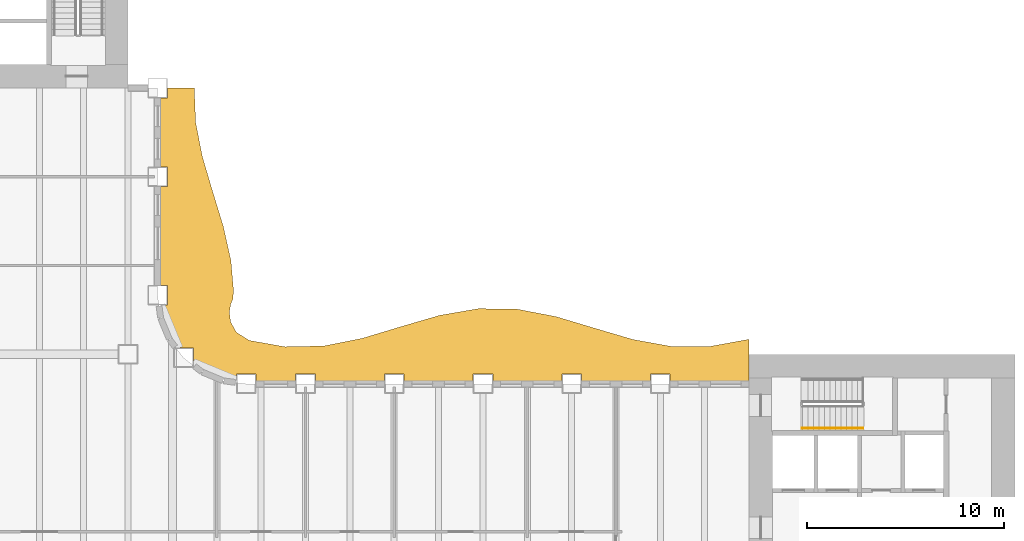
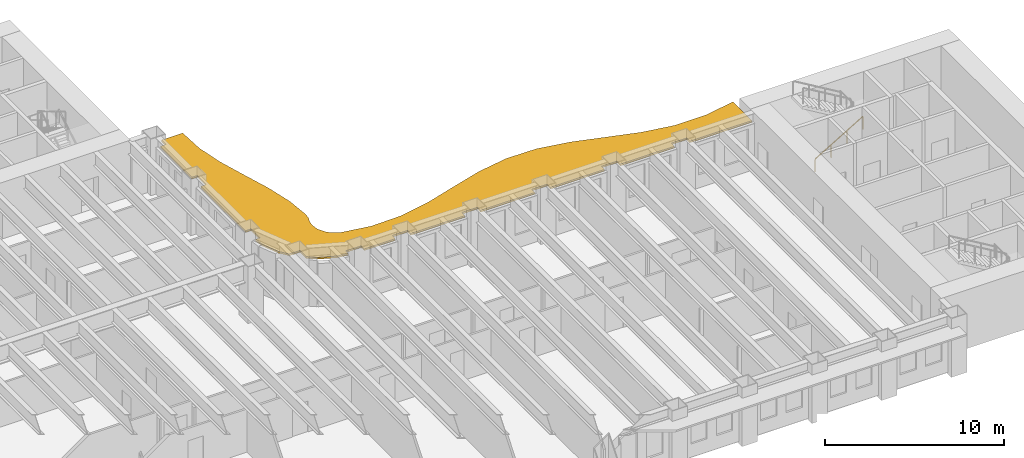
# One storey, part 14 of 16: 1 railing, 1 shading device.
"""IFC4 building model written with IfcOpenShell, lengths in metres."""

import ifcopenshell
import ifcopenshell.guid

model = None  # the IFC model being written
_history = None  # IfcOwnerHistory: only IFC2X3 demands one
_inside = {}  # id of a spatial element -> (the spatial element, [elements in it])
_under = {}  # id of a project, library or spatial element -> (it, [spatial elements below it])
_declared = {}  # id of a project -> (the project, [libraries it declares])
_typed = {}  # id of a type object -> (the type object, [elements of that type])
_made_of = {}  # id of a material, layer set ... -> (it, [elements and type objects made of it])


def new_model(schema):
    """Start an empty IFC model of exactly this schema.

    Asked for "IFC4X3", IfcOpenShell would pick the latest addendum, in which some entities
    have other attributes; the version numbers below select the first issue.
    IFC2X3 requires an IfcOwnerHistory on every rooted entity: one is made here for all.
    """
    global model, _history
    if schema == "IFC4X3":
        model = ifcopenshell.file(schema_version=(4, 3, 0, 0))
    else:
        model = ifcopenshell.file(schema=schema)
    _inside.clear()
    _under.clear()
    _declared.clear()
    _typed.clear()
    _made_of.clear()
    _history = None
    if model.schema == "IFC2X3":
        org = make("IfcOrganization", Name="unknown")
        user = make(
            "IfcPersonAndOrganization",
            ThePerson=make("IfcPerson", FamilyName="unknown"),
            TheOrganization=org,
        )
        app = make(
            "IfcApplication",
            ApplicationDeveloper=org,
            Version="unknown",
            ApplicationFullName="unknown",
            ApplicationIdentifier="unknown",
        )
        _history = make(
            "IfcOwnerHistory",
            OwningUser=user,
            OwningApplication=app,
            ChangeAction="ADDED",
            CreationDate=0,
        )
    return model


def make(cls, **values):
    """One entity of the class cls with the attributes given. An attribute that is None is left unset."""
    return model.create_entity(
        cls, **{name: value for name, value in values.items() if value is not None}
    )


def rooted(cls, **values):
    """An entity with a GlobalId (a new one), such as an element, a storey or a relation."""
    return make(cls, GlobalId=ifcopenshell.guid.new(), OwnerHistory=_history, **values)


def si_unit(unit_type, name, prefix=None):
    """IfcSIUnit, for example si_unit("LENGTHUNIT", "METRE", prefix="MILLI")."""
    return make("IfcSIUnit", UnitType=unit_type, Prefix=prefix, Name=name)


def assignment(units):
    """IfcUnitAssignment: the units of a project."""
    return None if units is None else make("IfcUnitAssignment", Units=units)


def point(xyz):
    """IfcCartesianPoint."""
    return None if xyz is None else make("IfcCartesianPoint", Coordinates=xyz)


def direction(xyz):
    """IfcDirection."""
    return None if xyz is None else make("IfcDirection", DirectionRatios=xyz)


def frame(location, z_axis=None, x_axis=None):
    """IfcAxis2Placement3D, a coordinate frame: its origin and axes. An axis left out is left unset."""
    return make(
        "IfcAxis2Placement3D",
        Location=point(location),
        Axis=direction(z_axis),
        RefDirection=direction(x_axis),
    )


def frame_2d(location, x_axis=None):
    """IfcAxis2Placement2D, a coordinate frame in the plane: its origin and x axis."""
    return make(
        "IfcAxis2Placement2D", Location=point(location), RefDirection=direction(x_axis)
    )


def origin():
    """The frame at (0, 0, 0) with its axes left unset."""
    return frame((0.0, 0.0, 0.0))


def origin_2d():
    """The frame at (0, 0) in the plane with its x axis left unset."""
    return frame_2d((0.0, 0.0))


def place(relative_to, where):
    """IfcLocalPlacement: puts the frame where relative to a parent placement (None: the world)."""
    return make(
        "IfcLocalPlacement", PlacementRelTo=relative_to, RelativePlacement=where
    )


def context(
    kind, dimensions, precision=None, world=None, true_north=None, identifier=None
):
    """IfcGeometricRepresentationContext, for example the 3D "Model" context."""
    return make(
        "IfcGeometricRepresentationContext",
        ContextIdentifier=identifier,
        ContextType=kind,
        CoordinateSpaceDimension=dimensions,
        Precision=precision,
        WorldCoordinateSystem=world,
        TrueNorth=true_north,
    )


def subcontext(parent, identifier, kind, view, scale=None):
    """IfcGeometricRepresentationSubContext, for example "Body" below "Model"."""
    return make(
        "IfcGeometricRepresentationSubContext",
        ContextIdentifier=identifier,
        ContextType=kind,
        ParentContext=parent,
        TargetScale=scale,
        TargetView=view,
    )


def project(units=None, contexts=None):
    """IfcProject with its units and contexts."""
    return rooted(
        "IfcProject",
        Name="project",
        RepresentationContexts=contexts,
        UnitsInContext=assignment(units),
    )


def spatial(cls, under=None, at=None, **own):
    """A site, building, storey or space (cls), placed at a placement, below another one or the project."""
    s = rooted(cls, ObjectPlacement=at, **own)
    if under is not None:
        _under.setdefault(under.id(), (under, []))[1].append(s)
    return s


def polyline(points):
    """IfcPolyline through the points."""
    return make("IfcPolyline", Points=[point(p) for p in points])


def profile(cls, at=None, kind="AREA", **sizes):
    """A parametric profile (cls). Its sizes go by their IFC names, for example OverallWidth=200.0."""
    return make(cls, ProfileType=kind, Position=at, **sizes)


def rectangle(**sizes):
    """IfcRectangleProfileDef."""
    return profile("IfcRectangleProfileDef", **sizes)


def outline(outer, holes=None, kind="AREA"):
    """IfcArbitraryClosedProfileDef: a profile drawn as a closed curve; with holes, ...WithVoids."""
    if holes is None:
        return make("IfcArbitraryClosedProfileDef", ProfileType=kind, OuterCurve=outer)
    return make(
        "IfcArbitraryProfileDefWithVoids",
        ProfileType=kind,
        OuterCurve=outer,
        InnerCurves=holes,
    )


def extrude(swept, where, along, depth):
    """IfcExtrudedAreaSolid: the profile swept, set in the frame where, extruded along a direction by depth."""
    return make(
        "IfcExtrudedAreaSolid",
        SweptArea=swept,
        Position=where,
        ExtrudedDirection=direction(along),
        Depth=depth,
    )


def shape(context_of_items, identifier, shape_type, items):
    """IfcShapeRepresentation: the items that make up one representation, for example the "Body"."""
    return make(
        "IfcShapeRepresentation",
        ContextOfItems=context_of_items,
        RepresentationIdentifier=identifier,
        RepresentationType=shape_type,
        Items=items,
    )


def material(Name=None, Category=None):
    """IfcMaterial."""
    return make("IfcMaterial", Name=Name, Category=Category)


def layer(
    of_material, thickness, ventilated=None, Name=None, Category=None, Priority=None
):
    """IfcMaterialLayer: one layer of a wall or slab, of a material (None: an air gap)."""
    return make(
        "IfcMaterialLayer",
        Material=of_material,
        LayerThickness=thickness,
        IsVentilated=ventilated,
        Name=Name,
        Category=Category,
        Priority=Priority,
    )


def layer_set(layers, Name=None):
    """IfcMaterialLayerSet."""
    return make("IfcMaterialLayerSet", MaterialLayers=layers, LayerSetName=Name)


def made_of(thing, what):
    """Note that an element or type object is made of a material, layer set ...; save() writes the relation."""
    if what is not None:
        _made_of.setdefault(what.id(), (what, []))[1].append(thing)
    return thing


def type_object(cls, material=None, **own):
    """A type object (cls), such as IfcWallType, which elements share."""
    return made_of(rooted(cls, **own), material)


def element(
    cls,
    number,
    at=None,
    inside=None,
    cuts=None,
    type_object=None,
    material=None,
    context=None,
    identifier="Body",
    shape_type=None,
    held_by="IfcProductDefinitionShape",
    body=None,
    shapes=None,
    **own,
):
    """One element of the class cls, such as IfcWall. Its Tag is "e" and its number.

    at: its placement. inside: the storey or other place that contains it. cuts: it is an
    opening in that element (IfcRelVoidsElement). A single representation is given by context,
    identifier, shape_type and body (its items); several are given by shapes. held_by: the class
    of the entity that holds the representations. save() writes the other relations.
    """
    e = rooted(cls, Tag="e%d" % number, ObjectPlacement=at, **own)
    if body is not None:
        shapes = [shape(context, identifier, shape_type, body)]
    if shapes is not None:
        e.Representation = make(held_by, Representations=shapes)
    if inside is not None:
        _inside.setdefault(inside.id(), (inside, []))[1].append(e)
    if cuts is not None:
        rooted(
            "IfcRelVoidsElement", RelatingBuildingElement=cuts, RelatedOpeningElement=e
        )
    if type_object is not None:
        _typed.setdefault(type_object.id(), (type_object, []))[1].append(e)
    return made_of(e, material)


def aggregate(whole, parts):
    """IfcRelAggregates: a whole, such as a stair, and the parts it consists of."""
    return rooted("IfcRelAggregates", RelatingObject=whole, RelatedObjects=parts)


def save(model, path):
    """Write the relations noted so far, then the file.

    IfcRelAggregates (storeys below a building ...), IfcRelContainedInSpatialStructure (elements
    in a storey), IfcRelDefinesByType, IfcRelAssociatesMaterial and IfcRelDeclares: one each for
    every whole, place, type object, material and project.
    """
    for whole, parts in _under.values():
        aggregate(whole, parts)
    for where, things in _inside.values():
        rooted(
            "IfcRelContainedInSpatialStructure",
            RelatedElements=things,
            RelatingStructure=where,
        )
    for kind, things in _typed.values():
        rooted("IfcRelDefinesByType", RelatedObjects=things, RelatingType=kind)
    for what, things in _made_of.values():
        rooted("IfcRelAssociatesMaterial", RelatedObjects=things, RelatingMaterial=what)
    for by, libraries in _declared.values():
        rooted("IfcRelDeclares", RelatingContext=by, RelatedDefinitions=libraries)
    model.write(path)


model = new_model("IFC4")

# Units and contexts
model_context = context("Model", 3, precision=1e-05, world=origin(), true_north=direction((0.0, 1.0)))
body_context = subcontext(model_context, "Body", "Model", "MODEL_VIEW")
ifc_project = project(units=[si_unit("LENGTHUNIT", "METRE"), si_unit("AREAUNIT", "SQUARE_METRE"), si_unit("VOLUMEUNIT", "CUBIC_METRE"), si_unit("PLANEANGLEUNIT", "RADIAN"), si_unit("MASSUNIT", "GRAM", prefix="KILO")], contexts=[model_context])

# Site, building, storey
site_placement = place(None, origin())
site = spatial("IfcSite", under=ifc_project, at=site_placement, CompositionType="ELEMENT")
building_placement = place(site_placement, origin())
building = spatial("IfcBuilding", under=site, at=building_placement, Name="Sennacour Bend Tower", CompositionType="ELEMENT")
storey_placement = place(building_placement, frame((0.0, 0.0, 83.0)))
storey = spatial("IfcBuildingStorey", under=building, at=storey_placement, Name="L18", CompositionType="ELEMENT", Elevation=83.0)

# Railing
ifc_material_1 = material(Name="Stainless steel", Category="steel")
railing_type = type_object("IfcRailingType", Name="RL-HANDRAIL-900", PredefinedType="HANDRAIL", material=ifc_material_1)
railing_placement = place(storey_placement, frame((56.699951171875, 18.75, 0.166748046875)))
element("IfcRailing", 1, at=railing_placement, inside=storey, type_object=railing_type, Name="L18 SA2 stair handrail 1", PredefinedType="HANDRAIL", context=body_context, shape_type="SweptSolid", body=[
    extrude(rectangle(XDim=0.048095703125, YDim=0.048095703125, at=origin_2d()), frame((0.0, 0.0, 0.8759765625), z_axis=(0.859308565015, 0.0, 0.511457515432), x_axis=(0.0, 1.0, 0.0)), (0.0, 0.0, 1.0), 3.58447265625),
    extrude(rectangle(XDim=0.0419921875, YDim=0.0419921875, at=origin_2d()), origin(), (0.0, 0.0, 1.0), 0.851806640625),
    extrude(rectangle(XDim=0.0419921875, YDim=0.0419921875, at=origin_2d()), frame((1.026611328125, 0.0, 0.611083984375)), (0.0, 0.0, 1.0), 0.851806640625),
    extrude(rectangle(XDim=0.0419921875, YDim=0.0419921875, at=origin_2d()), frame((2.053466796875, 0.0, 1.22216796875)), (0.0, 0.0, 1.0), 0.851806640625),
    extrude(rectangle(XDim=0.0419921875, YDim=0.0419921875, at=origin_2d()), frame((3.080078125, 0.0, 1.833251953125)), (0.0, 0.0, 1.0), 0.851806640625),
])

# Shading device
ifc_material_2 = material(Name="Bronze anodised aluminium", Category="aluminium")
ifc_layer = layer(ifc_material_2, 0.1201171875, Name="Bronze anodised aluminium", Category="aluminium")
ifc_layer_set = layer_set([ifc_layer], Name="Bronze anodised aluminium")
shading_device_type = type_object("IfcShadingDeviceType", Name="SUNSHADE BAND WAVE", PredefinedType="USERDEFINED", material=ifc_layer_set)
shading_device_placement = place(storey_placement, frame((0.0, 0.0, 3.033935546875)))
element("IfcShadingDevice", 2, at=shading_device_placement, inside=storey, type_object=shading_device_type, Name="Sunshade band L18 concave faces", ObjectType="SUNSHADE", PredefinedType="USERDEFINED", context=body_context, shape_type="SweptSolid", body=[
    extrude(outline(polyline([(54.0, 21.14990234375), (50.0, 21.14990234375), (50.0, 21.5), (49.0, 21.5), (49.0, 21.14990234375), (45.5, 21.14990234375), (45.5, 21.5), (44.5, 21.5), (44.5, 21.14990234375), (41.0, 21.14990234375), (41.0, 21.5), (40.0, 21.5), (40.0, 21.14990234375), (36.5, 21.14990234375), (36.5, 21.5), (35.5, 21.5), (35.5, 21.14990234375), (32.0, 21.14990234375), (32.0, 21.5), (31.0, 21.5), (31.0, 21.14990234375), (29.0, 21.14990234375), (29.0, 21.5), (28.0, 21.5), (28.0, 21.217041015625), (27.37451171875, 21.299560546875), (26.32568359375, 21.73388671875), (25.818115234375, 22.123291015625), (25.818115234375, 22.818115234375), (25.123291015625, 22.818115234375), (24.73388671875, 23.32568359375), (24.299560546875, 24.37451171875), (24.217041015625, 25.0), (24.5, 25.0), (24.5, 26.0), (24.14990234375, 26.0), (24.14990234375, 31.0), (24.5, 31.0), (24.5, 32.0), (24.14990234375, 32.0), (24.14990234375, 35.5), (24.5, 35.5), (24.5, 36.0), (25.861572265625, 36.0), (25.930419921875, 34.25), (26.275390625, 32.5), (26.79345703125, 30.75), (27.328369140625, 29.0), (27.719482421875, 27.25), (27.849365234375, 25.752197265625), (27.822998046875, 25.318603515625), (27.710693359375, 25.044189453125), (27.637451171875, 24.637451171875), (27.7080078125, 24.128173828125), (27.994384765625, 23.61279296875), (28.644287109375, 23.202392578125), (30.46142578125, 22.879638671875), (32.423095703125, 22.9208984375), (34.384521484375, 23.310546875), (36.34619140625, 23.902587890625), (38.3076171875, 24.47509765625), (40.269287109375, 24.81298828125), (42.230712890625, 24.78955078125), (44.1923828125, 24.413818359375), (46.15380859375, 23.82666015625), (48.115478515625, 23.248046875), (50.076904296875, 22.8955078125), (52.03857421875, 22.90087890625), (54.0, 23.26220703125), (54.0, 21.14990234375)])), origin(), (0.0, 0.0, 1.0), 0.1201171875),
])

save(model, "model.ifc")
